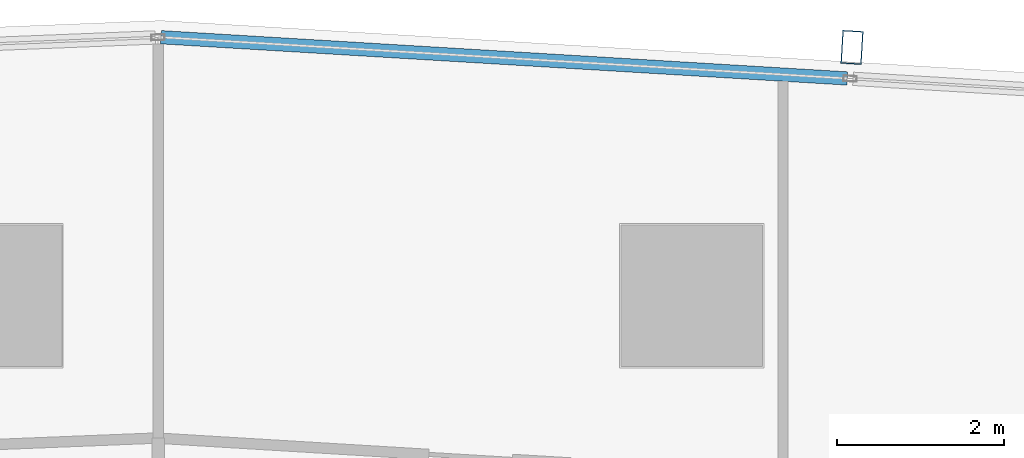
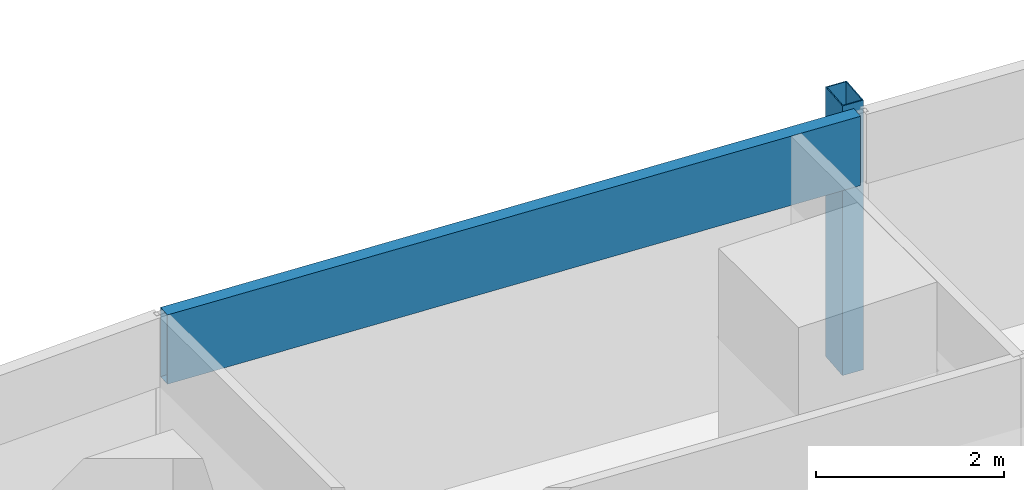
# One storey, part 22 of 40: 2 members, 1 element without a shape of its own.
"""IFC4 building model written with IfcOpenShell, lengths in metres."""

from ifc_helpers import new_model, si_unit, direction, frame, origin, origin_2d, place, context, subcontext, project, spatial, hollow_rectangle, extrude, material, material_profile, profile_set, type_object, element, aggregate, save


model = new_model("IFC4")

# Units and contexts
model_context = context("Model", 3, precision=1e-05, world=origin(), true_north=direction((0.0, 1.0)))
body_context = subcontext(model_context, "Body", "Model", "MODEL_VIEW")
ifc_project = project(units=[si_unit("LENGTHUNIT", "METRE"), si_unit("AREAUNIT", "SQUARE_METRE"), si_unit("VOLUMEUNIT", "CUBIC_METRE"), si_unit("PLANEANGLEUNIT", "RADIAN"), si_unit("MASSUNIT", "GRAM", prefix="KILO")], contexts=[model_context])

# Site, building, storey
site_placement = place(None, origin())
site = spatial("IfcSite", under=ifc_project, at=site_placement, CompositionType="ELEMENT")
building_placement = place(site_placement, origin())
building = spatial("IfcBuilding", under=site, at=building_placement, Name="Rekha Terrace Tower", CompositionType="ELEMENT")
storey_placement = place(building_placement, frame((0.0, 0.0, 117.800048828125)))
storey = spatial("IfcBuildingStorey", under=building, at=storey_placement, Name="L29", CompositionType="ELEMENT", Elevation=117.800048828125)

# Curtain wall, members
ifc_material_1 = material(Name="Aluminium framing", Category="aluminium")
curtain_wall_type = type_object("IfcCurtainWallType", Name="CW3 north unitised glazing", PredefinedType="USERDEFINED", material=ifc_material_1)
curtain_wall_placement = place(storey_placement, origin())
curtain_wall = element("IfcCurtainWall", 1, at=curtain_wall_placement, inside=storey, type_object=curtain_wall_type, Name="CW3 unitised curtain wall", ObjectType="UNITISED CURTAIN WALL", PredefinedType="USERDEFINED")
ifc_material_2 = material(Name="Steel S355 with fluorocarbon finish", Category="steel")
ifc_material_profile_1 = material_profile(ifc_material_2, hollow_rectangle(XDim=0.25, YDim=0.39990234375, WallThickness=0.012451171875, at=origin_2d()), Name="RHS400x250x12.5")
ifc_profile_set_1 = profile_set([ifc_material_profile_1], Name="Steel S355 with fluorocarbon finish")
member_type_1 = type_object("IfcMemberType", Name="BL1 facade blade RHS 400 x 250", PredefinedType="USERDEFINED", material=ifc_profile_set_1)
member_1_placement = place(storey_placement, frame((52.322265625, 61.777587890625, 0.0), z_axis=(0.0, 0.0, 1.0), x_axis=(-0.998199123409, 0.059987582268, 0.0)))
member_1 = element("IfcMember", 2, at=member_1_placement, type_object=member_type_1, Name="Facade blade", ObjectType="FACADE BLADE", PredefinedType="USERDEFINED", context=body_context, shape_type="SweptSolid", body=[
    extrude(hollow_rectangle(XDim=0.25, YDim=0.39990234375, WallThickness=0.012451171875, at=origin_2d()), origin(), (0.0, 0.0, 1.0), 3.5),
])
ifc_material_3 = material(Name="Insulated aluminium spandrel box", Category="aluminium")
ifc_material_profile_2 = material_profile(ifc_material_3, hollow_rectangle(XDim=0.159912109375, YDim=0.89990234375, WallThickness=0.0029296875, at=origin_2d()), Name="AL SPANDREL BOX 160x900")
ifc_profile_set_2 = profile_set([ifc_material_profile_2], Name="Insulated aluminium spandrel box")
member_type_2 = type_object("IfcMemberType", Name="CW3 spandrel transom 160 x 900", PredefinedType="USERDEFINED", material=ifc_profile_set_2)
member_2_placement = place(storey_placement, frame((52.2646484375, 61.4052734375, 3.050048828125), z_axis=(-0.998199102701, 0.059987926845, 0.0), x_axis=(-0.059987926845, -0.998199102701, 0.0)))
member_2 = element("IfcMember", 3, at=member_2_placement, type_object=member_type_2, Name="CW3 spandrel transom 3", ObjectType="TRANSOM", PredefinedType="USERDEFINED", context=body_context, shape_type="SweptSolid", body=[
    extrude(hollow_rectangle(XDim=0.159912109375, YDim=0.89990234375, WallThickness=0.0029296875, at=origin_2d()), origin(), (0.0, 0.0, 1.0), 8.241455078125),
])
aggregate(curtain_wall, [member_2, member_1])

save(model, "model.ifc")
